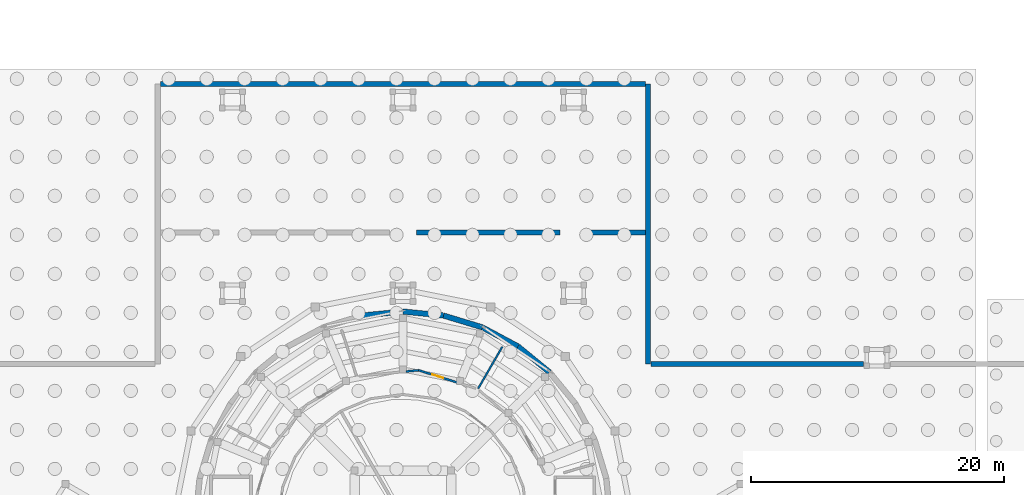
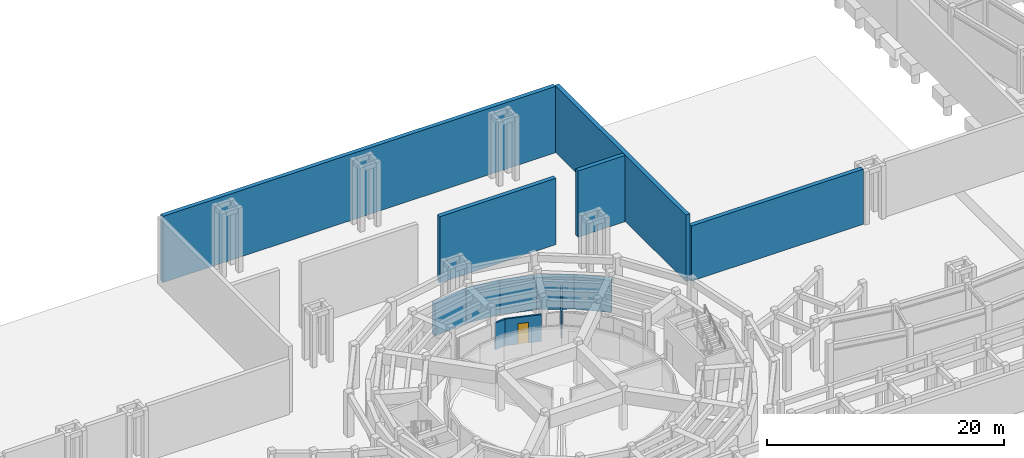
# One storey, part 41 of 57: 13 walls, 1 door, 1 opening.
"""IFC4 building model written with IfcOpenShell, lengths in metres."""

from ifc_helpers import new_model, si_unit, direction, frame, frame_2d, origin, place, context, subcontext, project, spatial, rectangle, extrude, material, layer, layer_set, type_object, element, fill, save


model = new_model("IFC4")

# Units and contexts
model_context = context("Model", 3, precision=1e-05, world=origin(), true_north=direction((0.0, 1.0)))
body_context = subcontext(model_context, "Body", "Model", "MODEL_VIEW")
ifc_project = project(units=[si_unit("LENGTHUNIT", "METRE"), si_unit("AREAUNIT", "SQUARE_METRE"), si_unit("VOLUMEUNIT", "CUBIC_METRE"), si_unit("PLANEANGLEUNIT", "RADIAN"), si_unit("MASSUNIT", "GRAM", prefix="KILO")], contexts=[model_context])

# Site, building, storey
site_placement = place(None, origin())
site = spatial("IfcSite", under=ifc_project, at=site_placement, CompositionType="ELEMENT")
building_placement = place(site_placement, origin())
building = spatial("IfcBuilding", under=site, at=building_placement, Name="Aldenvaro Health Centre", CompositionType="ELEMENT")
storey_placement = place(building_placement, frame((0.0, 0.0, -4.550048828125)))
storey = spatial("IfcBuildingStorey", under=building, at=storey_placement, Name="B1", CompositionType="ELEMENT", Elevation=-4.550048828125)

# Wall
ifc_material_1 = material(Name="Gypsum Stud Acoustic Assembly")
ifc_layer_1 = layer(ifc_material_1, 0.14501953125, Name="Gypsum Stud Acoustic Assembly")
ifc_layer_set_1 = layer_set([ifc_layer_1], Name="Gypsum Stud Acoustic Assembly")
wall_type_1 = type_object("IfcWallType", Name="WL-CLN-145", PredefinedType="PARTITIONING", material=ifc_layer_set_1)
wall_1_placement = place(storey_placement, frame((92.950927734375, 30.30810546875, 0.0), z_axis=(0.0, 0.0, 1.0), x_axis=(0.500116129234, 0.865958346157, 0.0)))
element("IfcWall", 1, at=wall_1_placement, inside=storey, type_object=wall_type_1, Name="D1 B1 clinical partition 2.1", PredefinedType="PARTITIONING", context=body_context, shape_type="SweptSolid", body=[
    extrude(rectangle(XDim=3.8291015625, YDim=0.14501953125, at=frame_2d((1.91455078125, 0.0))), origin(), (0.0, 0.0, 1.0), 2.760009765625),
])

# Wall, opening, door
ifc_layer_2 = layer(ifc_material_1, 0.1650390625, Name="Gypsum Stud Acoustic Assembly")
ifc_layer_set_2 = layer_set([ifc_layer_2], Name="Gypsum Stud Acoustic Assembly")
wall_type_2 = type_object("IfcWallType", Name="WL-COR-165", PredefinedType="PARTITIONING", material=ifc_layer_set_2)
wall_2_placement = place(storey_placement, frame((91.27392578125, 30.79296875, 0.0), z_axis=(0.0, 0.0, 1.0), x_axis=(-0.953348472905, 0.301871974865, 0.0)))
wall_2 = element("IfcWall", 2, at=wall_2_placement, inside=storey, type_object=wall_type_2, Name="D1 B1 corridor wall 02.2", PredefinedType="PARTITIONING", context=body_context, shape_type="SweptSolid", body=[
    extrude(rectangle(XDim=3.1865234375, YDim=0.1650390625, at=frame_2d((1.59326171875, 0.0))), origin(), (0.0, 0.0, 1.0), 2.760009765625),
])
opening_placement = place(wall_2_placement, frame((1.133056640625, 0.0, 0.0)))
opening = element("IfcOpeningElement", 3, at=opening_placement, cuts=wall_2, Name="Opening D-01", PredefinedType="OPENING", context=body_context, shape_type="SweptSolid", body=[
    extrude(rectangle(XDim=0.919921875, YDim=2.1201171875, at=frame_2d((0.4599609375, 1.06005859375))), frame((0.0, 0.092529296875, 0.0), z_axis=(0.0, -1.0, 0.0), x_axis=(1.0, 0.0, 0.0)), (0.0, 0.0, 1.0), 0.18505859375),
])
ifc_material_2 = material(Name="Solid Core Acoustic Timber Door", Category="wood")
door_type = type_object("IfcDoorType", Name="DR-CLN-01", OperationType="NOTDEFINED", PredefinedType="DOOR", material=ifc_material_2)
door_placement = place(opening_placement, origin())
door = element("IfcDoor", 4, at=door_placement, inside=storey, type_object=door_type, Name="Ambulance Triage and Decontamination Door", OperationType="SINGLE_SWING_LEFT", OverallHeight=2.1201171875, OverallWidth=0.919921875, PredefinedType="DOOR", context=body_context, shape_type="SweptSolid", body=[
    extrude(rectangle(XDim=0.919921875, YDim=2.1201171875, at=frame_2d((0.4599609375, 1.06005859375))), frame((0.0, 0.02490234375, 0.0), z_axis=(0.0, -1.0, 0.0), x_axis=(1.0, 0.0, 0.0)), (0.0, 0.0, 1.0), 0.050048828125),
])
fill(opening, door)

# Walls
wall_3_placement = place(storey_placement, frame((88.236083984375, 31.7548828125, 0.0), z_axis=(0.0, 0.0, 1.0), x_axis=(-0.995326148944, -0.096570478037, 0.0)))
element("IfcWall", 5, at=wall_3_placement, inside=storey, type_object=wall_type_2, Name="D1 B1 corridor wall 02.3", PredefinedType="PARTITIONING", context=body_context, shape_type="SweptSolid", body=[
    extrude(rectangle(XDim=1.013671875, YDim=0.1650390625, at=frame_2d((0.5068359375, 0.0))), origin(), (0.0, 0.0, 1.0), 2.760009765625),
])
ifc_material_3 = material(Name="Concrete f'c 40 MPa", Category="concrete")
ifc_layer_3 = layer(ifc_material_3, 0.39990234375, Name="Concrete f'c 40 MPa", Category="concrete")
ifc_layer_set_3 = layer_set([ifc_layer_3], Name="Concrete f'c 40 MPa")
wall_type_3 = type_object("IfcWallType", Name="WL-RET-400", PredefinedType="USERDEFINED", material=ifc_layer_set_3)
wall_4_placement = place(storey_placement, frame((106.39990234375, 32.25, 0.0), z_axis=(0.0, 0.0, 1.0), x_axis=(0.0, 1.0, 0.0)))
element("IfcWall", 6, at=wall_4_placement, inside=storey, type_object=wall_type_3, Name="Stepped Foothill Retaining Wall T2G-CE-00", ObjectType="RETAININGWALL", PredefinedType="USERDEFINED", context=body_context, shape_type="SweptSolid", body=[
    extrude(rectangle(XDim=22.14990234375, YDim=0.39990234375, at=frame_2d((11.074951171875, 0.0))), origin(), (0.0, 0.0, 1.0), 6.85009765625),
])
wall_5_placement = place(storey_placement, frame((106.6240234375, 32.25, 0.0), z_axis=(0.0, 0.0, 1.0), x_axis=(1.0, 0.0, 0.0)))
element("IfcWall", 7, at=wall_5_placement, inside=storey, type_object=wall_type_3, Name="Stepped Foothill Retaining Wall T2G-RE-00", ObjectType="RETAININGWALL", PredefinedType="USERDEFINED", context=body_context, shape_type="SweptSolid", body=[
    extrude(rectangle(XDim=16.805908203125, YDim=0.39990234375, at=frame_2d((8.40283203125, 0.0))), origin(), (0.0, 0.0, 1.0), 5.699951171875),
])
wall_6_placement = place(storey_placement, frame((88.070068359375, 42.64990234375, 0.0), z_axis=(0.0, 0.0, 1.0), x_axis=(1.0, 0.0, 0.0)))
element("IfcWall", 8, at=wall_6_placement, inside=storey, type_object=wall_type_3, Name="Stepped Foothill Retaining Wall T3G-R-02", ObjectType="RETAININGWALL", PredefinedType="USERDEFINED", context=body_context, shape_type="SweptSolid", body=[
    extrude(rectangle(XDim=11.35986328125, YDim=0.39990234375, at=frame_2d((5.679931640625, 0.0))), origin(), (0.0, 0.0, 1.0), 6.85009765625),
])
wall_7_placement = place(storey_placement, frame((101.570068359375, 42.64990234375, 0.0), z_axis=(0.0, 0.0, 1.0), x_axis=(1.0, 0.0, 0.0)))
element("IfcWall", 9, at=wall_7_placement, inside=storey, type_object=wall_type_3, Name="Stepped Foothill Retaining Wall T3G-R-03", ObjectType="RETAININGWALL", PredefinedType="USERDEFINED", context=body_context, shape_type="SweptSolid", body=[
    extrude(rectangle(XDim=4.60595703125, YDim=0.39990234375, at=frame_2d((2.302978515625, 0.0))), origin(), (0.0, 0.0, 1.0), 6.85009765625),
])
wall_8_placement = place(storey_placement, frame((67.823974609375, 54.39990234375, 0.0), z_axis=(0.0, 0.0, 1.0), x_axis=(1.0, 0.0, 0.0)))
element("IfcWall", 10, at=wall_8_placement, inside=storey, type_object=wall_type_3, Name="Stepped Foothill Retaining Wall T2G-CN-00", ObjectType="RETAININGWALL", PredefinedType="USERDEFINED", context=body_context, shape_type="SweptSolid", body=[
    extrude(rectangle(XDim=38.35205078125, YDim=0.39990234375, at=frame_2d((19.176025390625, 0.0))), origin(), (0.0, 0.0, 1.0), 6.85009765625),
])
ifc_layer_4 = layer(ifc_material_3, 0.429931640625, Name="Concrete f'c 40 MPa", Category="concrete")
ifc_layer_set_4 = layer_set([ifc_layer_4], Name="Concrete f'c 40 MPa")
wall_type_4 = type_object("IfcWallType", Name="WL-RET-430", PredefinedType="USERDEFINED", material=ifc_layer_set_4)
for number, where, z_axis, x_axis, name in (
    (11, (83.801025390625, 36.0849609375, 0.0), (0.0, 0.0, 1.0), (0.995188673637, 0.097977057849, 0.0), "D1 B1 hillside retaining wall 24"),
    (12, (87.0, 36.39990234375, 0.0), (0.0, 0.0, 1.0), (0.995188673637, -0.097977057849, 0.0), "D1 B1 hillside retaining wall 25"),
):
    element("IfcWall", number, at=place(storey_placement, frame(where, z_axis=z_axis, x_axis=x_axis)), inside=storey, type_object=wall_type_4, Name=name, ObjectType="RETAININGWALL", PredefinedType="USERDEFINED", context=body_context, shape_type="SweptSolid", body=[
        extrude(rectangle(XDim=3.21435546875, YDim=0.429931640625, at=frame_2d((1.607177734375, 0.0))), origin(), (0.0, 0.0, 1.0), 3.3349609375),
    ])
for number, where, z_axis, x_axis, name in (
    (13, (90.198974609375, 36.0849609375, 0.0), (0.0, 0.0, 1.0), (0.956984161567, -0.29014016356, 0.0), "D1 B1 hillside retaining wall 26"),
    (14, (93.27587890625, 35.152099609375, 0.0), (0.0, 0.0, 1.0), (0.881835313523, -0.47155750426, 0.0), "D1 B1 hillside retaining wall 27"),
    (15, (96.111083984375, 33.635986328125, 0.0), (0.0, 0.0, 1.0), (0.773165020866, -0.634204896314, 0.0), "D1 B1 hillside retaining wall 28"),
):
    element("IfcWall", number, at=place(storey_placement, frame(where, z_axis=z_axis, x_axis=x_axis)), inside=storey, type_object=wall_type_4, Name=name, ObjectType="RETAININGWALL", PredefinedType="USERDEFINED", context=body_context, shape_type="SweptSolid", body=[
        extrude(rectangle(XDim=3.215087890625, YDim=0.429931640625, at=frame_2d((1.607421875, 0.0))), origin(), (0.0, 0.0, 1.0), 3.3349609375),
    ])

save(model, "model.ifc")
